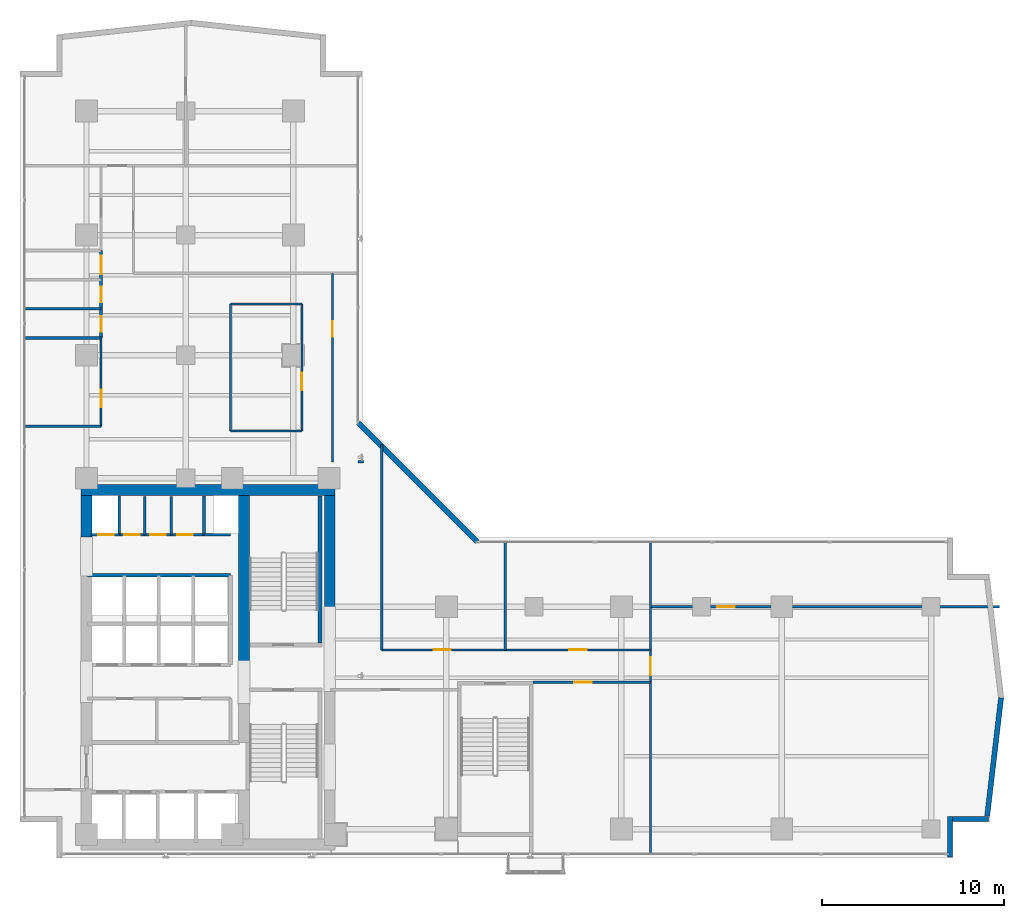
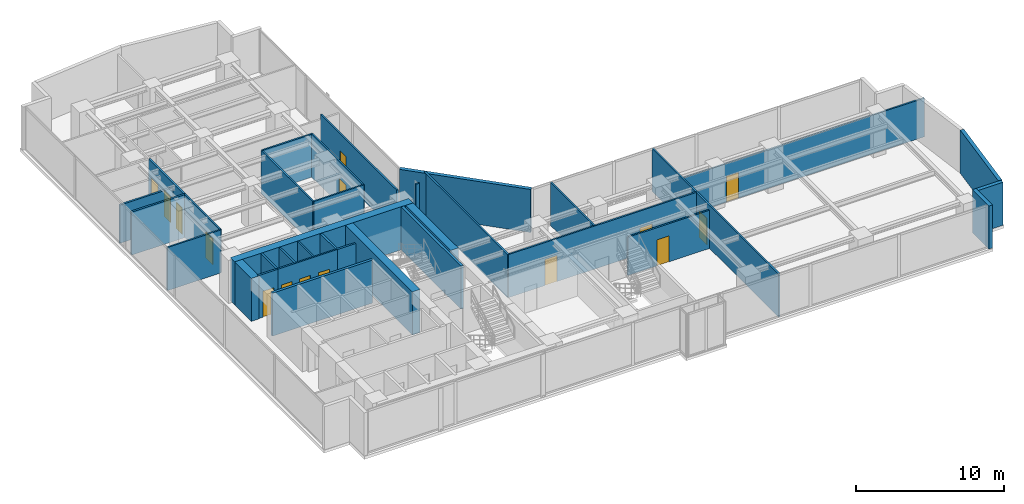
# One storey, part 20 of 24: 34 walls, 15 doors, 15 openings.
"""IFC4 building model written with IfcOpenShell, lengths in metres."""

from ifc_helpers import new_model, si_unit, direction, frame, frame_2d, origin, place, context, subcontext, project, spatial, rectangle, extrude, material, layer, layer_set, type_object, element, fill, save


model = new_model("IFC4")

# Units and contexts
model_context = context("Model", 3, precision=1e-05, world=origin(), true_north=direction((0.0, 1.0)))
body_context = subcontext(model_context, "Body", "Model", "MODEL_VIEW")
ifc_project = project(units=[si_unit("LENGTHUNIT", "METRE"), si_unit("AREAUNIT", "SQUARE_METRE"), si_unit("VOLUMEUNIT", "CUBIC_METRE"), si_unit("PLANEANGLEUNIT", "RADIAN"), si_unit("MASSUNIT", "GRAM", prefix="KILO")], contexts=[model_context])

# Site, building, storey
site_placement = place(None, origin())
site = spatial("IfcSite", under=ifc_project, at=site_placement, CompositionType="ELEMENT")
building_placement = place(site_placement, origin())
building = spatial("IfcBuilding", under=site, at=building_placement, Name="Kolvaren Waterfront Exchange", CompositionType="ELEMENT")
storey_placement = place(building_placement, frame((0.0, 0.0, 172.800048828125)))
storey = spatial("IfcBuildingStorey", under=building, at=storey_placement, Name="L44", CompositionType="ELEMENT", Elevation=172.800048828125)

# Walls
ifc_material_1 = material(Name="Precast concrete C40/50", Category="concrete")
ifc_layer_1 = layer(ifc_material_1, 0.280029296875, Name="Precast concrete C40/50")
ifc_layer_set_1 = layer_set([ifc_layer_1], Name="Precast concrete C40/50")
wall_type_1 = type_object("IfcWallType", Name="ARC-EXT-TERR-280", PredefinedType="SOLIDWALL", material=ifc_layer_set_1)
wall_1_placement = place(storey_placement, frame((54.840087890625, 3.659912109375, 0.0), z_axis=(0.0, 0.0, 1.0), x_axis=(0.0, 1.0, 0.0)))
element("IfcWall", 1, at=wall_1_placement, inside=storey, type_object=wall_type_1, Name="L44 notched corner spandrel pier SE-A", PredefinedType="SOLIDWALL", context=body_context, shape_type="SweptSolid", body=[
    extrude(rectangle(XDim=2.239990234375, YDim=0.280029296875, at=frame_2d((1.1201171875, 0.0))), origin(), (0.0, 0.0, 1.0), 3.56005859375),
])
wall_2_placement = place(storey_placement, frame((54.97998046875, 5.760009765625, 0.0), z_axis=(0.0, 0.0, 1.0), x_axis=(1.0, 0.0, 0.0)))
element("IfcWall", 2, at=wall_2_placement, inside=storey, type_object=wall_type_1, Name="L44 notched corner spandrel pier SE-B", PredefinedType="SOLIDWALL", context=body_context, shape_type="SweptSolid", body=[
    extrude(rectangle(XDim=1.9599609375, YDim=0.280029296875, at=frame_2d((0.97998046875, 0.0))), origin(), (0.0, 0.0, 1.0), 3.56005859375),
])
wall_3_placement = place(storey_placement, frame((28.885009765625, 20.97509765625, 0.0), z_axis=(0.0, 0.0, 1.0), x_axis=(-0.707106781187, 0.707106781187, 0.0)))
element("IfcWall", 3, at=wall_3_placement, inside=storey, type_object=wall_type_1, Name="L44 notched corner spandrel pier ELBOW", PredefinedType="SOLIDWALL", context=body_context, shape_type="SweptSolid", body=[
    extrude(rectangle(XDim=9.20654296875, YDim=0.280029296875, at=frame_2d((4.603271484375, 0.0))), origin(), (0.0, 0.0, 1.0), 3.56005859375),
])
wall_4_placement = place(storey_placement, frame((56.876220703125, 5.91650390625, 0.0), z_axis=(0.0, 0.0, 1.0), x_axis=(0.11685426921, 0.993149072278, 0.0)))
element("IfcWall", 4, at=wall_4_placement, inside=storey, type_object=wall_type_1, Name="L44 east prow faceted facade wall 1", PredefinedType="SOLIDWALL", context=body_context, shape_type="SweptSolid", body=[
    extrude(rectangle(XDim=6.52685546875, YDim=0.280029296875, at=frame_2d((3.263427734375, 0.0))), origin(), (0.0, 0.0, 1.0), 3.56005859375),
])

# Wall, openings, doors
ifc_material_2 = material(Name="Acoustic gypsum steel stud", Category="steel")
ifc_layer_2 = layer(ifc_material_2, 0.125, Name="Acoustic gypsum steel stud")
ifc_layer_set_2 = layer_set([ifc_layer_2], Name="Acoustic gypsum steel stud")
wall_type_2 = type_object("IfcWallType", Name="ARC-PART-125", PredefinedType="PARTITIONING", material=ifc_layer_set_2)
wall_5_placement = place(storey_placement, frame((9.25, 21.35009765625, 0.0), z_axis=(0.0, 0.0, 1.0), x_axis=(1.0, 0.0, 0.0)))
wall_5 = element("IfcWall", 5, at=wall_5_placement, inside=storey, type_object=wall_type_2, Name="L44 interior wall PW-L44-SVC-EX-S", PredefinedType="PARTITIONING", context=body_context, shape_type="SweptSolid", body=[
    extrude(rectangle(XDim=4.64990234375, YDim=0.125, at=frame_2d((2.324951171875, 0.0))), origin(), (0.0, 0.0, 1.0), 3.56005859375),
])
opening_1_placement = place(wall_5_placement, frame((0.264892578125, 0.0, 0.0)))
opening_1 = element("IfcOpeningElement", 6, at=opening_1_placement, cuts=wall_5, Name="Opening D01", PredefinedType="OPENING", context=body_context, shape_type="SweptSolid", body=[
    extrude(rectangle(XDim=0.85009765625, YDim=2.14990234375, at=frame_2d((0.425048828125, 1.074951171875))), frame((0.0, 0.072509765625, 0.0), z_axis=(0.0, -1.0, 0.0), x_axis=(1.0, 0.0, 0.0)), (0.0, 0.0, 1.0), 0.14501953125),
])
opening_2_placement = place(wall_5_placement, frame((1.695068359375, 0.0, 0.0)))
opening_2 = element("IfcOpeningElement", 7, at=opening_2_placement, cuts=wall_5, Name="Opening D01", PredefinedType="OPENING", context=body_context, shape_type="SweptSolid", body=[
    extrude(rectangle(XDim=0.85009765625, YDim=2.14990234375, at=frame_2d((0.425048828125, 1.074951171875))), frame((0.0, 0.072509765625, 0.0), z_axis=(0.0, -1.0, 0.0), x_axis=(1.0, 0.0, 0.0)), (0.0, 0.0, 1.0), 0.14501953125),
])
opening_3_placement = place(wall_5_placement, frame((3.18994140625, 0.0, 0.0)))
opening_3 = element("IfcOpeningElement", 8, at=opening_3_placement, cuts=wall_5, Name="Opening D01", PredefinedType="OPENING", context=body_context, shape_type="SweptSolid", body=[
    extrude(rectangle(XDim=0.85009765625, YDim=2.14990234375, at=frame_2d((0.425048828125, 1.074951171875))), frame((0.0, 0.072509765625, 0.0), z_axis=(0.0, -1.0, 0.0), x_axis=(1.0, 0.0, 0.0)), (0.0, 0.0, 1.0), 0.14501953125),
])
ifc_material_3 = material(Name="Oak veneer timber leaf", Category="wood")
door_type_1 = type_object("IfcDoorType", Name="ARC-DR-900", OperationType="NOTDEFINED", PredefinedType="DOOR", material=ifc_material_3)
door_1_placement = place(opening_1_placement, origin())
door_1 = element("IfcDoor", 9, at=door_1_placement, inside=storey, type_object=door_type_1, Name="L44 door DR-L44-SVC-DR-1 (D01)", OperationType="SINGLE_SWING_RIGHT", OverallHeight=2.14990234375, OverallWidth=0.85009765625, PredefinedType="DOOR", context=body_context, shape_type="SweptSolid", body=[
    extrude(rectangle(XDim=0.85009765625, YDim=2.14990234375, at=frame_2d((0.425048828125, 1.074951171875))), frame((0.0, 0.02490234375, 0.0), z_axis=(0.0, -1.0, 0.0), x_axis=(1.0, 0.0, 0.0)), (0.0, 0.0, 1.0), 0.050048828125),
])
fill(opening_1, door_1)
door_2_placement = place(opening_2_placement, origin())
door_2 = element("IfcDoor", 10, at=door_2_placement, inside=storey, type_object=door_type_1, Name="L44 door DR-L44-SVC-DR-2 (D01)", OperationType="SINGLE_SWING_LEFT", OverallHeight=2.14990234375, OverallWidth=0.85009765625, PredefinedType="DOOR", context=body_context, shape_type="SweptSolid", body=[
    extrude(rectangle(XDim=0.85009765625, YDim=2.14990234375, at=frame_2d((0.425048828125, 1.074951171875))), frame((0.0, 0.02490234375, 0.0), z_axis=(0.0, -1.0, 0.0), x_axis=(1.0, 0.0, 0.0)), (0.0, 0.0, 1.0), 0.050048828125),
])
fill(opening_2, door_2)
door_3_placement = place(opening_3_placement, origin())
door_3 = element("IfcDoor", 11, at=door_3_placement, inside=storey, type_object=door_type_1, Name="L44 door DR-L44-SVC-DR-3 (D01)", OperationType="SINGLE_SWING_RIGHT", OverallHeight=2.14990234375, OverallWidth=0.85009765625, PredefinedType="DOOR", context=body_context, shape_type="SweptSolid", body=[
    extrude(rectangle(XDim=0.85009765625, YDim=2.14990234375, at=frame_2d((0.425048828125, 1.074951171875))), frame((0.0, 0.02490234375, 0.0), z_axis=(0.0, -1.0, 0.0), x_axis=(1.0, 0.0, 0.0)), (0.0, 0.0, 1.0), 0.050048828125),
])
fill(opening_3, door_3)

# Walls
for number, where, z_axis, x_axis, name in (
    (12, (10.64990234375, 21.35009765625, 0.0), (0.0, 0.0, 1.0), (0.0, 1.0, 0.0), "L44 interior wall PW-L44-SVC-EX-A"),
    (13, (12.10009765625, 21.35009765625, 0.0), (0.0, 0.0, 1.0), (0.0, 1.0, 0.0), "L44 interior wall PW-L44-SVC-EX-B"),
):
    element("IfcWall", number, at=place(storey_placement, frame(where, z_axis=z_axis, x_axis=x_axis)), inside=storey, type_object=wall_type_2, Name=name, PredefinedType="PARTITIONING", context=body_context, shape_type="SweptSolid", body=[
        extrude(rectangle(XDim=2.099853515625, YDim=0.125, at=frame_2d((1.0498046875, 0.0))), origin(), (0.0, 0.0, 1.0), 3.56005859375),
    ])
for number, where, z_axis, x_axis, name in (
    (14, (15.35009765625, 27.050048828125, 0.0), (0.0, 0.0, 1.0), (1.0, 0.0, 0.0), "L44 interior wall PW-L44-ISL-S"),
    (15, (15.35009765625, 34.02001953125, 0.0), (0.0, 0.0, 1.0), (1.0, 0.0, 0.0), "L44 interior wall PW-L44-ISL-N"),
):
    element("IfcWall", number, at=place(storey_placement, frame(where, z_axis=z_axis, x_axis=x_axis)), inside=storey, type_object=wall_type_2, Name=name, PredefinedType="PARTITIONING", context=body_context, shape_type="SweptSolid", body=[
        extrude(rectangle(XDim=3.919921875, YDim=0.125, at=frame_2d((1.9599609375, 0.0))), origin(), (0.0, 0.0, 1.0), 3.56005859375),
    ])
wall_6_placement = place(storey_placement, frame((15.35009765625, 27.050048828125, 0.0), z_axis=(0.0, 0.0, 1.0), x_axis=(0.0, 1.0, 0.0)))
element("IfcWall", 16, at=wall_6_placement, inside=storey, type_object=wall_type_2, Name="L44 interior wall PW-L44-ISL-W", PredefinedType="PARTITIONING", context=body_context, shape_type="SweptSolid", body=[
    extrude(rectangle(XDim=6.969970703125, YDim=0.125, at=frame_2d((3.48486328125, 0.0))), origin(), (0.0, 0.0, 1.0), 3.56005859375),
])

# Wall, opening, door
wall_7_placement = place(storey_placement, frame((19.27001953125, 27.050048828125, 0.0), z_axis=(0.0, 0.0, 1.0), x_axis=(0.0, 1.0, 0.0)))
wall_7 = element("IfcWall", 17, at=wall_7_placement, inside=storey, type_object=wall_type_2, Name="L44 interior wall PW-L44-ISL-E", PredefinedType="PARTITIONING", context=body_context, shape_type="SweptSolid", body=[
    extrude(rectangle(XDim=6.969970703125, YDim=0.125, at=frame_2d((3.48486328125, 0.0))), origin(), (0.0, 0.0, 1.0), 3.56005859375),
])
opening_4_placement = place(wall_7_placement, frame((2.23681640625, 0.0, 0.0)))
opening_4 = element("IfcOpeningElement", 18, at=opening_4_placement, cuts=wall_7, Name="Opening D02", PredefinedType="OPENING", context=body_context, shape_type="SweptSolid", body=[
    extrude(rectangle(XDim=0.949951171875, YDim=2.14990234375, at=frame_2d((0.47509765625, 1.074951171875))), frame((0.0, 0.072509765625, 0.0), z_axis=(0.0, -1.0, 0.0), x_axis=(1.0, 0.0, 0.0)), (0.0, 0.0, 1.0), 0.14501953125),
])
ifc_material_4 = material(Name="Oak veneer acoustic timber", Category="wood")
door_type_2 = type_object("IfcDoorType", Name="ARC-DR-950", OperationType="NOTDEFINED", PredefinedType="DOOR", material=ifc_material_4)
door_4_placement = place(opening_4_placement, origin())
door_4 = element("IfcDoor", 19, at=door_4_placement, inside=storey, type_object=door_type_2, Name="L44 door DR-L44-ISL-D (D02)", OperationType="SINGLE_SWING_LEFT", OverallHeight=2.14990234375, OverallWidth=0.949951171875, PredefinedType="DOOR", context=body_context, shape_type="SweptSolid", body=[
    extrude(rectangle(XDim=0.949951171875, YDim=2.14990234375, at=frame_2d((0.47509765625, 1.074951171875))), frame((0.0, 0.02490234375, 0.0), z_axis=(0.0, -1.0, 0.0), x_axis=(1.0, 0.0, 0.0)), (0.0, 0.0, 1.0), 0.050048828125),
])
fill(opening_4, door_4)

wall_8_placement = place(storey_placement, frame((8.25, 27.300048828125, 0.0), z_axis=(0.0, 0.0, 1.0), x_axis=(0.0, 1.0, 0.0)))
wall_8 = element("IfcWall", 20, at=wall_8_placement, inside=storey, type_object=wall_type_2, Name="L44 interior wall PW-L44-PREWC-E", PredefinedType="PARTITIONING", context=body_context, shape_type="SweptSolid", body=[
    extrude(rectangle(XDim=4.849853515625, YDim=0.125, at=frame_2d((2.4248046875, 0.0))), origin(), (0.0, 0.0, 1.0), 3.56005859375),
])
opening_5_placement = place(wall_8_placement, frame((1.050048828125, 0.0, 0.0)))
opening_5 = element("IfcOpeningElement", 21, at=opening_5_placement, cuts=wall_8, Name="Opening D02", PredefinedType="OPENING", context=body_context, shape_type="SweptSolid", body=[
    extrude(rectangle(XDim=0.949951171875, YDim=2.14990234375, at=frame_2d((0.47509765625, 1.074951171875))), frame((0.0, 0.072509765625, 0.0), z_axis=(0.0, -1.0, 0.0), x_axis=(1.0, 0.0, 0.0)), (0.0, 0.0, 1.0), 0.14501953125),
])
door_5_placement = place(opening_5_placement, origin())
door_5 = element("IfcDoor", 22, at=door_5_placement, inside=storey, type_object=door_type_2, Name="L44 door DR-L44-PREWC-D (D02)", OperationType="SINGLE_SWING_RIGHT", OverallHeight=2.14990234375, OverallWidth=0.949951171875, PredefinedType="DOOR", context=body_context, shape_type="SweptSolid", body=[
    extrude(rectangle(XDim=0.949951171875, YDim=2.14990234375, at=frame_2d((0.47509765625, 1.074951171875))), frame((0.0, 0.02490234375, 0.0), z_axis=(0.0, -1.0, 0.0), x_axis=(1.0, 0.0, 0.0)), (0.0, 0.0, 1.0), 0.050048828125),
])
fill(opening_5, door_5)

# Wall
wall_9_placement = place(storey_placement, frame((4.0400390625, 27.300048828125, 0.0), z_axis=(0.0, 0.0, 1.0), x_axis=(1.0, 0.0, 0.0)))
element("IfcWall", 23, at=wall_9_placement, inside=storey, type_object=wall_type_2, Name="L44 interior wall PW-L44-PREWC-S", PredefinedType="PARTITIONING", context=body_context, shape_type="SweptSolid", body=[
    extrude(rectangle(XDim=4.2099609375, YDim=0.125, at=frame_2d((2.10498046875, 0.0))), origin(), (0.0, 0.0, 1.0), 3.56005859375),
])

# Wall, opening, door
wall_10_placement = place(storey_placement, frame((20.949951171875, 25.35009765625, 0.0), z_axis=(0.0, 0.0, 1.0), x_axis=(0.0, 1.0, 0.0)))
wall_10 = element("IfcWall", 24, at=wall_10_placement, inside=storey, type_object=wall_type_2, Name="L44 interior wall PW-L44-RFLANK-W", PredefinedType="PARTITIONING", context=body_context, shape_type="SweptSolid", body=[
    extrude(rectangle(XDim=10.349853515625, YDim=0.125, at=frame_2d((5.1748046875, 0.0))), origin(), (0.0, 0.0, 1.0), 3.56005859375),
])
opening_6_placement = place(wall_10_placement, frame((6.859375, 0.0, 0.0)))
opening_6 = element("IfcOpeningElement", 25, at=opening_6_placement, cuts=wall_10, Name="Opening D01", PredefinedType="OPENING", context=body_context, shape_type="SweptSolid", body=[
    extrude(rectangle(XDim=0.85009765625, YDim=2.14990234375, at=frame_2d((0.425048828125, 1.074951171875))), frame((0.0, 0.072509765625, 0.0), z_axis=(0.0, -1.0, 0.0), x_axis=(1.0, 0.0, 0.0)), (0.0, 0.0, 1.0), 0.14501953125),
])
door_6_placement = place(opening_6_placement, origin())
door_6 = element("IfcDoor", 26, at=door_6_placement, inside=storey, type_object=door_type_1, Name="L44 door DR-L44-RFLANK-D (D01)", OperationType="SINGLE_SWING_RIGHT", OverallHeight=2.14990234375, OverallWidth=0.85009765625, PredefinedType="DOOR", context=body_context, shape_type="SweptSolid", body=[
    extrude(rectangle(XDim=0.85009765625, YDim=2.14990234375, at=frame_2d((0.425048828125, 1.074951171875))), frame((0.0, 0.02490234375, 0.0), z_axis=(0.0, -1.0, 0.0), x_axis=(1.0, 0.0, 0.0)), (0.0, 0.0, 1.0), 0.050048828125),
])
fill(opening_6, door_6)

# Wall
wall_11_placement = place(storey_placement, frame((22.64990234375, 25.35009765625, 0.0), z_axis=(0.0, 0.0, 1.0), x_axis=(-1.0, 0.0, 0.0)))
element("IfcWall", 27, at=wall_11_placement, inside=storey, type_object=wall_type_2, Name="L44 interior wall PW-L44-RFLANK-S", PredefinedType="PARTITIONING", context=body_context, shape_type="SweptSolid", body=[
    extrude(rectangle(XDim=0.289794921875, YDim=0.125, at=frame_2d((0.14501953125, 0.0))), origin(), (0.0, 0.0, 1.0), 3.56005859375),
])

# Wall, opening, door
wall_12_placement = place(storey_placement, frame((31.949951171875, 13.25, 0.0), z_axis=(0.0, 0.0, 1.0), x_axis=(1.0, 0.0, 0.0)))
wall_12 = element("IfcWall", 28, at=wall_12_placement, inside=storey, type_object=wall_type_2, Name="L44 interior wall PW-L44-ES-CORR", PredefinedType="PARTITIONING", context=body_context, shape_type="SweptSolid", body=[
    extrude(rectangle(XDim=6.449951171875, YDim=0.125, at=frame_2d((3.22509765625, 0.0))), origin(), (0.0, 0.0, 1.0), 3.159912109375),
])
opening_7_placement = place(wall_12_placement, frame((2.27490234375, 0.0, 0.0)))
opening_7 = element("IfcOpeningElement", 29, at=opening_7_placement, cuts=wall_12, Name="Opening D02", PredefinedType="OPENING", context=body_context, shape_type="SweptSolid", body=[
    extrude(rectangle(XDim=0.949951171875, YDim=2.14990234375, at=frame_2d((0.47509765625, 1.074951171875))), frame((0.0, 0.072509765625, 0.0), z_axis=(0.0, -1.0, 0.0), x_axis=(1.0, 0.0, 0.0)), (0.0, 0.0, 1.0), 0.14501953125),
])
door_7_placement = place(opening_7_placement, origin())
door_7 = element("IfcDoor", 30, at=door_7_placement, inside=storey, type_object=door_type_2, Name="L44 door DR-L44-ES-D-1 (D02)", OperationType="SINGLE_SWING_LEFT", OverallHeight=2.14990234375, OverallWidth=0.949951171875, PredefinedType="DOOR", context=body_context, shape_type="SweptSolid", body=[
    extrude(rectangle(XDim=0.949951171875, YDim=2.14990234375, at=frame_2d((0.47509765625, 1.074951171875))), frame((0.0, 0.02490234375, 0.0), z_axis=(0.0, -1.0, 0.0), x_axis=(1.0, 0.0, 0.0)), (0.0, 0.0, 1.0), 0.050048828125),
])
fill(opening_7, door_7)

wall_13_placement = place(storey_placement, frame((38.39990234375, 3.840087890625, 0.0), z_axis=(0.0, 0.0, 1.0), x_axis=(0.0, 1.0, 0.0)))
wall_13 = element("IfcWall", 31, at=wall_13_placement, inside=storey, type_object=wall_type_2, Name="L44 interior wall PW-L44-ETIP-W", PredefinedType="PARTITIONING", context=body_context, shape_type="SweptSolid", body=[
    extrude(rectangle(XDim=17.119873046875, YDim=0.125, at=frame_2d((8.56005859375, 0.0))), origin(), (0.0, 0.0, 1.0), 3.56005859375),
])
opening_8_placement = place(wall_13_placement, frame((9.800048828125, 0.0, 0.0)))
opening_8 = element("IfcOpeningElement", 32, at=opening_8_placement, cuts=wall_13, Name="Opening D03", PredefinedType="OPENING", context=body_context, shape_type="SweptSolid", body=[
    extrude(rectangle(XDim=1.0, YDim=2.199951171875, at=frame_2d((0.5, 1.10009765625))), frame((0.0, 0.072509765625, 0.0), z_axis=(0.0, -1.0, 0.0), x_axis=(1.0, 0.0, 0.0)), (0.0, 0.0, 1.0), 0.14501953125),
])
ifc_material_5 = material(Name="Oak veneer accessible timber", Category="wood")
door_type_3 = type_object("IfcDoorType", Name="ARC-DR-1000", OperationType="NOTDEFINED", PredefinedType="DOOR", material=ifc_material_5)
door_8_placement = place(opening_8_placement, origin())
door_8 = element("IfcDoor", 33, at=door_8_placement, inside=storey, type_object=door_type_3, Name="L44 door DR-L44-ETIP1-D (D03)", OperationType="SINGLE_SWING_RIGHT", OverallHeight=2.199951171875, OverallWidth=1.0, PredefinedType="DOOR", context=body_context, shape_type="SweptSolid", body=[
    extrude(rectangle(XDim=1.0, YDim=2.199951171875, at=frame_2d((0.5, 1.10009765625))), frame((0.0, 0.02490234375, 0.0), z_axis=(0.0, -1.0, 0.0), x_axis=(1.0, 0.0, 0.0)), (0.0, 0.0, 1.0), 0.050048828125),
])
fill(opening_8, door_8)

wall_14_placement = place(storey_placement, frame((38.39990234375, 17.39990234375, 0.0), z_axis=(0.0, 0.0, 1.0), x_axis=(1.0, 0.0, 0.0)))
wall_14 = element("IfcWall", 34, at=wall_14_placement, inside=storey, type_object=wall_type_2, Name="L44 interior wall PW-L44-ETIP-MID", PredefinedType="PARTITIONING", context=body_context, shape_type="SweptSolid", body=[
    extrude(rectangle(XDim=19.16015625, YDim=0.125, at=frame_2d((9.580078125, 0.0))), origin(), (0.0, 0.0, 1.0), 3.199951171875),
])
opening_9_placement = place(wall_14_placement, frame((3.668701171875, 0.0, 0.0)))
opening_9 = element("IfcOpeningElement", 35, at=opening_9_placement, cuts=wall_14, Name="Opening D02", PredefinedType="OPENING", context=body_context, shape_type="SweptSolid", body=[
    extrude(rectangle(XDim=0.949951171875, YDim=2.14990234375, at=frame_2d((0.47509765625, 1.074951171875))), frame((0.0, 0.072509765625, 0.0), z_axis=(0.0, -1.0, 0.0), x_axis=(1.0, 0.0, 0.0)), (0.0, 0.0, 1.0), 0.14501953125),
])
door_9_placement = place(opening_9_placement, origin())
door_9 = element("IfcDoor", 36, at=door_9_placement, inside=storey, type_object=door_type_2, Name="L44 door DR-L44-ETIP2-D (D02)", OperationType="SINGLE_SWING_LEFT", OverallHeight=2.14990234375, OverallWidth=0.949951171875, PredefinedType="DOOR", context=body_context, shape_type="SweptSolid", body=[
    extrude(rectangle(XDim=0.949951171875, YDim=2.14990234375, at=frame_2d((0.47509765625, 1.074951171875))), frame((0.0, 0.02490234375, 0.0), z_axis=(0.0, -1.0, 0.0), x_axis=(1.0, 0.0, 0.0)), (0.0, 0.0, 1.0), 0.050048828125),
])
fill(opening_9, door_9)

# Wall
wall_15_placement = place(storey_placement, frame((23.64990234375, 15.030029296875, 0.0), z_axis=(0.0, 0.0, 1.0), x_axis=(0.0, 1.0, 0.0)))
element("IfcWall", 37, at=wall_15_placement, inside=storey, type_object=wall_type_2, Name="L44 interior wall PW-L44-EN-W0", PredefinedType="PARTITIONING", context=body_context, shape_type="SweptSolid", body=[
    extrude(rectangle(XDim=11.280029296875, YDim=0.125, at=frame_2d((5.64013671875, 0.0))), origin(), (0.0, 0.0, 1.0), 3.56005859375),
])

# Wall, openings, doors
wall_16_placement = place(storey_placement, frame((23.64990234375, 15.030029296875, 0.0), z_axis=(0.0, 0.0, 1.0), x_axis=(1.0, 0.0, 0.0)))
wall_16 = element("IfcWall", 38, at=wall_16_placement, inside=storey, type_object=wall_type_2, Name="L44 interior wall PW-L44-EN-CORR", PredefinedType="PARTITIONING", context=body_context, shape_type="SweptSolid", body=[
    extrude(rectangle(XDim=14.75, YDim=0.125, at=frame_2d((7.375, 0.0))), origin(), (0.0, 0.0, 1.0), 3.56005859375),
])
opening_10_placement = place(wall_16_placement, frame((2.843017578125, 0.0, 0.0)))
opening_10 = element("IfcOpeningElement", 39, at=opening_10_placement, cuts=wall_16, Name="Opening D02", PredefinedType="OPENING", context=body_context, shape_type="SweptSolid", body=[
    extrude(rectangle(XDim=0.949951171875, YDim=2.14990234375, at=frame_2d((0.47509765625, 1.074951171875))), frame((0.0, 0.072509765625, 0.0), z_axis=(0.0, -1.0, 0.0), x_axis=(1.0, 0.0, 0.0)), (0.0, 0.0, 1.0), 0.14501953125),
])
opening_11_placement = place(wall_16_placement, frame((10.2900390625, 0.0, 0.0)))
opening_11 = element("IfcOpeningElement", 40, at=opening_11_placement, cuts=wall_16, Name="Opening D02", PredefinedType="OPENING", context=body_context, shape_type="SweptSolid", body=[
    extrude(rectangle(XDim=0.949951171875, YDim=2.14990234375, at=frame_2d((0.47509765625, 1.074951171875))), frame((0.0, 0.072509765625, 0.0), z_axis=(0.0, -1.0, 0.0), x_axis=(1.0, 0.0, 0.0)), (0.0, 0.0, 1.0), 0.14501953125),
])
door_10_placement = place(opening_10_placement, origin())
door_10 = element("IfcDoor", 41, at=door_10_placement, inside=storey, type_object=door_type_2, Name="L44 door DR-L44-EN-D-1 (D02)", OperationType="SINGLE_SWING_RIGHT", OverallHeight=2.14990234375, OverallWidth=0.949951171875, PredefinedType="DOOR", context=body_context, shape_type="SweptSolid", body=[
    extrude(rectangle(XDim=0.949951171875, YDim=2.14990234375, at=frame_2d((0.47509765625, 1.074951171875))), frame((0.0, 0.02490234375, 0.0), z_axis=(0.0, -1.0, 0.0), x_axis=(1.0, 0.0, 0.0)), (0.0, 0.0, 1.0), 0.050048828125),
])
fill(opening_10, door_10)
door_11_placement = place(opening_11_placement, origin())
door_11 = element("IfcDoor", 42, at=door_11_placement, inside=storey, type_object=door_type_2, Name="L44 door DR-L44-EN-D-2 (D02)", OperationType="SINGLE_SWING_LEFT", OverallHeight=2.14990234375, OverallWidth=0.949951171875, PredefinedType="DOOR", context=body_context, shape_type="SweptSolid", body=[
    extrude(rectangle(XDim=0.949951171875, YDim=2.14990234375, at=frame_2d((0.47509765625, 1.074951171875))), frame((0.0, 0.02490234375, 0.0), z_axis=(0.0, -1.0, 0.0), x_axis=(1.0, 0.0, 0.0)), (0.0, 0.0, 1.0), 0.050048828125),
])
fill(opening_11, door_11)

# Walls
wall_17_placement = place(storey_placement, frame((30.429931640625, 15.030029296875, 0.0), z_axis=(0.0, 0.0, 1.0), x_axis=(0.0, 1.0, 0.0)))
element("IfcWall", 43, at=wall_17_placement, inside=storey, type_object=wall_type_2, Name="L44 interior wall PW-L44-EN-DIV-1", PredefinedType="PARTITIONING", context=body_context, shape_type="SweptSolid", body=[
    extrude(rectangle(XDim=5.929931640625, YDim=0.125, at=frame_2d((2.96484375, 0.0))), origin(), (0.0, 0.0, 1.0), 3.56005859375),
])
ifc_material_6 = material(Name="Gypsum fireboard steel stud", Category="steel")
ifc_layer_3 = layer(ifc_material_6, 0.14990234375, Name="Gypsum fireboard steel stud")
ifc_layer_set_3 = layer_set([ifc_layer_3], Name="Gypsum fireboard steel stud")
wall_type_3 = type_object("IfcWallType", Name="ARC-PART-150", PredefinedType="PARTITIONING", material=ifc_layer_set_3)
for number, where, z_axis, x_axis, name in (
    (44, (9.25, 21.35009765625, 0.0), (0.0, 0.0, 1.0), (0.0, 1.0, 0.0), "L44 interior wall PW-L44-SVC-R1"),
    (45, (13.89990234375, 21.35009765625, 0.0), (0.0, 0.0, 1.0), (0.0, 1.0, 0.0), "L44 interior wall PW-L44-SVC-R2"),
):
    element("IfcWall", number, at=place(storey_placement, frame(where, z_axis=z_axis, x_axis=x_axis)), inside=storey, type_object=wall_type_3, Name=name, PredefinedType="PARTITIONING", context=body_context, shape_type="SweptSolid", body=[
        extrude(rectangle(XDim=2.1298828125, YDim=0.14990234375, at=frame_2d((1.06494140625, 0.0))), origin(), (0.0, 0.0, 1.0), 3.56005859375),
    ])

# Wall, opening, door
wall_18_placement = place(storey_placement, frame((7.699951171875, 21.35009765625, 0.0), z_axis=(0.0, 0.0, 1.0), x_axis=(1.0, 0.0, 0.0)))
wall_18 = element("IfcWall", 46, at=wall_18_placement, inside=storey, type_object=wall_type_3, Name="L44 interior wall PW-L44-SVC-RE-S", PredefinedType="PARTITIONING", context=body_context, shape_type="SweptSolid", body=[
    extrude(rectangle(XDim=1.550048828125, YDim=0.14990234375, at=frame_2d((0.77490234375, 0.0))), origin(), (0.0, 0.0, 1.0), 3.56005859375),
])
opening_12_placement = place(wall_18_placement, frame((0.389892578125, 0.0, 0.0)))
opening_12 = element("IfcOpeningElement", 47, at=opening_12_placement, cuts=wall_18, Name="Opening FD1", PredefinedType="OPENING", context=body_context, shape_type="SweptSolid", body=[
    extrude(rectangle(XDim=0.85009765625, YDim=2.14990234375, at=frame_2d((0.425048828125, 1.074951171875))), frame((0.0, 0.0849609375, 0.0), z_axis=(0.0, -1.0, 0.0), x_axis=(1.0, 0.0, 0.0)), (0.0, 0.0, 1.0), 0.169921875),
])
ifc_material_7 = material(Name="Pressed steel fire leaf", Category="steel")
door_type_4 = type_object("IfcDoorType", Name="ARC-FD-900", OperationType="NOTDEFINED", PredefinedType="DOOR", material=ifc_material_7)
door_12_placement = place(opening_12_placement, origin())
door_12 = element("IfcDoor", 48, at=door_12_placement, inside=storey, type_object=door_type_4, Name="L44 door DR-L44-RISER-E-DR (FD1)", OperationType="SINGLE_SWING_LEFT", OverallHeight=2.14990234375, OverallWidth=0.85009765625, PredefinedType="DOOR", context=body_context, shape_type="SweptSolid", body=[
    extrude(rectangle(XDim=0.85009765625, YDim=2.14990234375, at=frame_2d((0.425048828125, 1.074951171875))), frame((0.0, 0.02490234375, 0.0), z_axis=(0.0, -1.0, 0.0), x_axis=(1.0, 0.0, 0.0)), (0.0, 0.0, 1.0), 0.050048828125),
])
fill(opening_12, door_12)

# Walls
wall_19_placement = place(storey_placement, frame((13.89990234375, 21.35009765625, 0.0), z_axis=(0.0, 0.0, 1.0), x_axis=(1.0, 0.0, 0.0)))
element("IfcWall", 49, at=wall_19_placement, inside=storey, type_object=wall_type_3, Name="L44 interior wall PW-L44-SVC-RP-S", PredefinedType="PARTITIONING", context=body_context, shape_type="SweptSolid", body=[
    extrude(rectangle(XDim=1.4501953125, YDim=0.14990234375, at=frame_2d((0.72509765625, 0.0))), origin(), (0.0, 0.0, 1.0), 3.56005859375),
])
ifc_material_8 = material(Name="Moisture-resistant gypsum stud")
ifc_layer_4 = layer(ifc_material_8, 0.14990234375, Name="Moisture-resistant gypsum stud")
ifc_layer_set_4 = layer_set([ifc_layer_4], Name="Moisture-resistant gypsum stud")
wall_type_4 = type_object("IfcWallType", Name="ARC-PLUMB-150", PredefinedType="PLUMBINGWALL", material=ifc_layer_set_4)
wall_20_placement = place(storey_placement, frame((4.0400390625, 32.14990234375, 0.0), z_axis=(0.0, 0.0, 1.0), x_axis=(1.0, 0.0, 0.0)))
element("IfcWall", 50, at=wall_20_placement, inside=storey, type_object=wall_type_4, Name="L44 interior wall PW-L44-WC-0", PredefinedType="PLUMBINGWALL", context=body_context, shape_type="SweptSolid", body=[
    extrude(rectangle(XDim=4.2099609375, YDim=0.14990234375, at=frame_2d((2.10498046875, 0.0))), origin(), (0.0, 0.0, 1.0), 3.56005859375),
])

# Wall, openings, doors
wall_21_placement = place(storey_placement, frame((8.25, 32.14990234375, 0.0), z_axis=(0.0, 0.0, 1.0), x_axis=(0.0, 1.0, 0.0)))
wall_21 = element("IfcWall", 51, at=wall_21_placement, inside=storey, type_object=wall_type_4, Name="L44 interior wall PW-L44-WC-E", PredefinedType="PLUMBINGWALL", context=body_context, shape_type="SweptSolid", body=[
    extrude(rectangle(XDim=4.800048828125, YDim=0.14990234375, at=frame_2d((2.39990234375, 0.0))), origin(), (0.0, 0.0, 1.0), 3.56005859375),
])
opening_13_placement = place(wall_21_placement, frame((0.35009765625, 0.0, 0.0)))
opening_13 = element("IfcOpeningElement", 52, at=opening_13_placement, cuts=wall_21, Name="Opening D01", PredefinedType="OPENING", context=body_context, shape_type="SweptSolid", body=[
    extrude(rectangle(XDim=0.85009765625, YDim=2.14990234375, at=frame_2d((0.425048828125, 1.074951171875))), frame((0.0, 0.0849609375, 0.0), z_axis=(0.0, -1.0, 0.0), x_axis=(1.0, 0.0, 0.0)), (0.0, 0.0, 1.0), 0.169921875),
])
opening_14_placement = place(wall_21_placement, frame((1.949951171875, 0.0, 0.0)))
opening_14 = element("IfcOpeningElement", 53, at=opening_14_placement, cuts=wall_21, Name="Opening D01", PredefinedType="OPENING", context=body_context, shape_type="SweptSolid", body=[
    extrude(rectangle(XDim=0.85009765625, YDim=2.14990234375, at=frame_2d((0.425048828125, 1.074951171875))), frame((0.0, 0.0849609375, 0.0), z_axis=(0.0, -1.0, 0.0), x_axis=(1.0, 0.0, 0.0)), (0.0, 0.0, 1.0), 0.169921875),
])
opening_15_placement = place(wall_21_placement, frame((3.5, 0.0, 0.0)))
opening_15 = element("IfcOpeningElement", 54, at=opening_15_placement, cuts=wall_21, Name="Opening D03", PredefinedType="OPENING", context=body_context, shape_type="SweptSolid", body=[
    extrude(rectangle(XDim=1.0, YDim=2.199951171875, at=frame_2d((0.5, 1.10009765625))), frame((0.0, 0.0849609375, 0.0), z_axis=(0.0, -1.0, 0.0), x_axis=(1.0, 0.0, 0.0)), (0.0, 0.0, 1.0), 0.169921875),
])
door_13_placement = place(opening_15_placement, origin())
door_13 = element("IfcDoor", 55, at=door_13_placement, inside=storey, type_object=door_type_3, Name="L44 door DR-L44-WCA-D (D03)", OperationType="SINGLE_SWING_LEFT", OverallHeight=2.199951171875, OverallWidth=1.0, PredefinedType="DOOR", context=body_context, shape_type="SweptSolid", body=[
    extrude(rectangle(XDim=1.0, YDim=2.199951171875, at=frame_2d((0.5, 1.10009765625))), frame((0.0, 0.02490234375, 0.0), z_axis=(0.0, -1.0, 0.0), x_axis=(1.0, 0.0, 0.0)), (0.0, 0.0, 1.0), 0.050048828125),
])
fill(opening_15, door_13)
door_14_placement = place(opening_13_placement, origin())
door_14 = element("IfcDoor", 56, at=door_14_placement, inside=storey, type_object=door_type_1, Name="L44 door DR-L44-WCM-D (D01)", OperationType="SINGLE_SWING_LEFT", OverallHeight=2.14990234375, OverallWidth=0.85009765625, PredefinedType="DOOR", context=body_context, shape_type="SweptSolid", body=[
    extrude(rectangle(XDim=0.85009765625, YDim=2.14990234375, at=frame_2d((0.425048828125, 1.074951171875))), frame((0.0, 0.02490234375, 0.0), z_axis=(0.0, -1.0, 0.0), x_axis=(1.0, 0.0, 0.0)), (0.0, 0.0, 1.0), 0.050048828125),
])
fill(opening_13, door_14)
door_15_placement = place(opening_14_placement, origin())
door_15 = element("IfcDoor", 57, at=door_15_placement, inside=storey, type_object=door_type_1, Name="L44 door DR-L44-WCF-D (D01)", OperationType="SINGLE_SWING_RIGHT", OverallHeight=2.14990234375, OverallWidth=0.85009765625, PredefinedType="DOOR", context=body_context, shape_type="SweptSolid", body=[
    extrude(rectangle(XDim=0.85009765625, YDim=2.14990234375, at=frame_2d((0.425048828125, 1.074951171875))), frame((0.0, 0.02490234375, 0.0), z_axis=(0.0, -1.0, 0.0), x_axis=(1.0, 0.0, 0.0)), (0.0, 0.0, 1.0), 0.050048828125),
])
fill(opening_14, door_15)

# Walls
wall_22_placement = place(storey_placement, frame((4.0400390625, 33.75, 0.0), z_axis=(0.0, 0.0, 1.0), x_axis=(1.0, 0.0, 0.0)))
element("IfcWall", 58, at=wall_22_placement, inside=storey, type_object=wall_type_4, Name="L44 interior wall PW-L44-WC-1", PredefinedType="PLUMBINGWALL", context=body_context, shape_type="SweptSolid", body=[
    extrude(rectangle(XDim=4.2099609375, YDim=0.14990234375, at=frame_2d((2.10498046875, 0.0))), origin(), (0.0, 0.0, 1.0), 3.159912109375),
])
ifc_material_9 = material(Name="Concrete C40/50", Category="concrete")
ifc_layer_5 = layer(ifc_material_9, 0.199951171875, Name="Concrete C40/50")
ifc_layer_set_5 = layer_set([ifc_layer_5], Name="Concrete C40/50")
wall_type_5 = type_object("IfcWallType", Name="ARC-SHAFT-200", PredefinedType="PARTITIONING", material=ifc_layer_set_5)
wall_23_placement = place(storey_placement, frame((20.260009765625, 15.39990234375, 0.0), z_axis=(0.0, 0.0, 1.0), x_axis=(0.0, 1.0, 0.0)))
element("IfcWall", 59, at=wall_23_placement, inside=storey, type_object=wall_type_5, Name="L44 structural stairwell wall PW-L44-ST2-E", PredefinedType="SHEAR", context=body_context, shape_type="SweptSolid", body=[
    extrude(rectangle(XDim=8.090087890625, YDim=0.199951171875, at=frame_2d((4.044921875, 0.0))), origin(), (0.0, 0.0, 1.0), 3.56005859375),
])
wall_24_placement = place(storey_placement, frame((7.5, 19.1201171875, 0.0), z_axis=(0.0, 0.0, 1.0), x_axis=(1.0, 0.0, 0.0)))
element("IfcWall", 60, at=wall_24_placement, inside=storey, type_object=wall_type_5, Name="L44 interior wall PW-L44-PH-N", PredefinedType="PARTITIONING", context=body_context, shape_type="SweptSolid", body=[
    extrude(rectangle(XDim=7.85009765625, YDim=0.199951171875, at=frame_2d((3.925048828125, 0.0))), origin(), (0.0, 0.0, 1.0), 3.56005859375),
])
ifc_material_10 = material(Name="Concrete C60/75", Category="concrete")
ifc_layer_6 = layer(ifc_material_10, 0.60009765625, Name="Concrete C60/75")
ifc_layer_set_6 = layer_set([ifc_layer_6], Name="Concrete C60/75")
wall_type_6 = type_object("IfcWallType", Name="STR-CWALL-600", PredefinedType="SHEAR", material=ifc_layer_set_6)
wall_25_placement = place(storey_placement, frame((7.14990234375, 23.800048828125, 0.0), z_axis=(0.0, 0.0, 1.0), x_axis=(1.0, 0.0, 0.0)))
element("IfcWall", 61, at=wall_25_placement, inside=storey, type_object=wall_type_6, Name="L44 rear-core shear wall N", PredefinedType="SHEAR", context=body_context, shape_type="SweptSolid", body=[
    extrude(rectangle(XDim=13.9501953125, YDim=0.60009765625, at=frame_2d((6.97509765625, 0.0))), origin(), (0.0, 0.0, 1.0), 3.56005859375),
])
wall_26_placement = place(storey_placement, frame((7.449951171875, 21.239990234375, 0.0), z_axis=(0.0, 0.0, 1.0), x_axis=(0.0, 1.0, 0.0)))
element("IfcWall", 62, at=wall_26_placement, inside=storey, type_object=wall_type_6, Name="L44 rear-core shear wall W3", PredefinedType="SHEAR", context=body_context, shape_type="SweptSolid", body=[
    extrude(rectangle(XDim=2.260009765625, YDim=0.60009765625, at=frame_2d((1.1298828125, 0.0))), origin(), (0.0, 0.0, 1.0), 3.56005859375),
])
wall_27_placement = place(storey_placement, frame((20.800048828125, 17.35009765625, 0.0), z_axis=(0.0, 0.0, 1.0), x_axis=(0.0, 1.0, 0.0)))
element("IfcWall", 63, at=wall_27_placement, inside=storey, type_object=wall_type_6, Name="L44 rear-core shear wall E3", PredefinedType="SHEAR", context=body_context, shape_type="SweptSolid", body=[
    extrude(rectangle(XDim=6.14990234375, YDim=0.60009765625, at=frame_2d((3.074951171875, 0.0))), origin(), (0.0, 0.0, 1.0), 3.56005859375),
])
wall_28_placement = place(storey_placement, frame((16.10009765625, 14.39990234375, 0.0), z_axis=(0.0, 0.0, 1.0), x_axis=(0.0, 1.0, 0.0)))
element("IfcWall", 64, at=wall_28_placement, inside=storey, type_object=wall_type_6, Name="L44 rear-core shear wall M3", PredefinedType="SHEAR", context=body_context, shape_type="SweptSolid", body=[
    extrude(rectangle(XDim=9.10009765625, YDim=0.60009765625, at=frame_2d((4.550048828125, 0.0))), origin(), (0.0, 0.0, 1.0), 3.56005859375),
])

save(model, "model.ifc")
